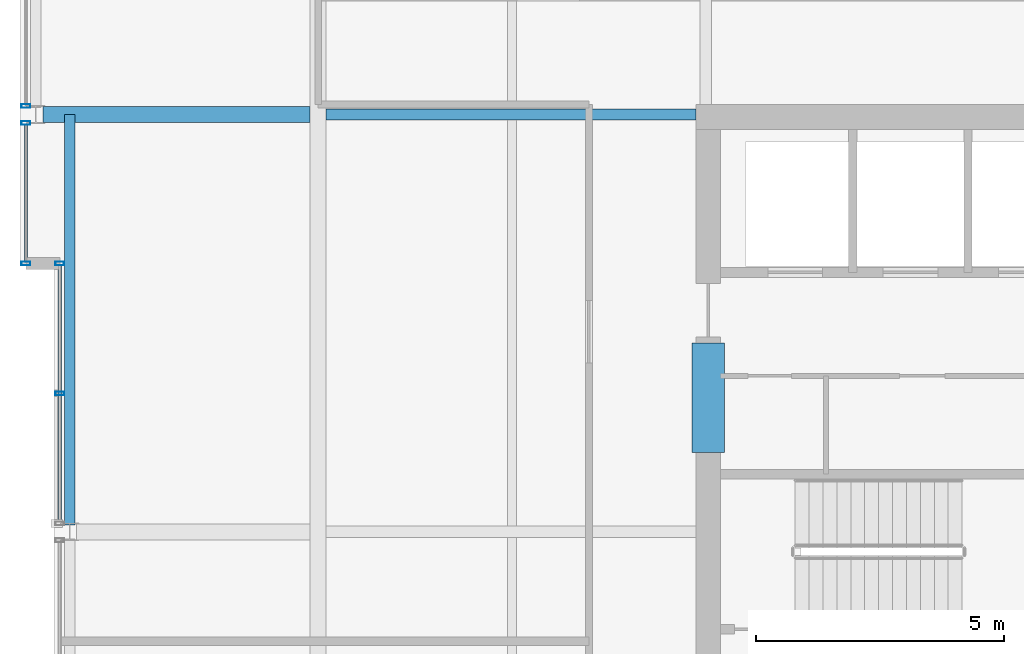
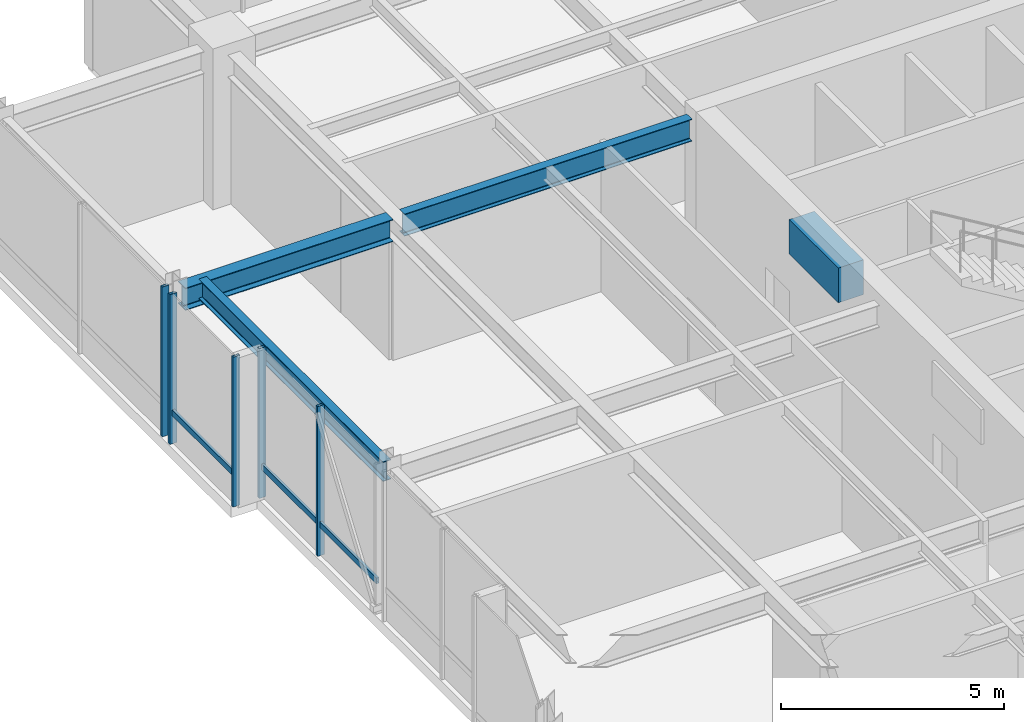
# One storey, part 14 of 34: 7 members, 4 beams, 3 elements without a shape of their own.
"""IFC4 building model written with IfcOpenShell, lengths in metres."""

import ifcopenshell
import ifcopenshell.guid

model = None  # the IFC model being written
_history = None  # IfcOwnerHistory: only IFC2X3 demands one
_inside = {}  # id of a spatial element -> (the spatial element, [elements in it])
_under = {}  # id of a project, library or spatial element -> (it, [spatial elements below it])
_declared = {}  # id of a project -> (the project, [libraries it declares])
_typed = {}  # id of a type object -> (the type object, [elements of that type])
_made_of = {}  # id of a material, layer set ... -> (it, [elements and type objects made of it])


def new_model(schema):
    """Start an empty IFC model of exactly this schema.

    Asked for "IFC4X3", IfcOpenShell would pick the latest addendum, in which some entities
    have other attributes; the version numbers below select the first issue.
    IFC2X3 requires an IfcOwnerHistory on every rooted entity: one is made here for all.
    """
    global model, _history
    if schema == "IFC4X3":
        model = ifcopenshell.file(schema_version=(4, 3, 0, 0))
    else:
        model = ifcopenshell.file(schema=schema)
    _inside.clear()
    _under.clear()
    _declared.clear()
    _typed.clear()
    _made_of.clear()
    _history = None
    if model.schema == "IFC2X3":
        org = make("IfcOrganization", Name="unknown")
        user = make(
            "IfcPersonAndOrganization",
            ThePerson=make("IfcPerson", FamilyName="unknown"),
            TheOrganization=org,
        )
        app = make(
            "IfcApplication",
            ApplicationDeveloper=org,
            Version="unknown",
            ApplicationFullName="unknown",
            ApplicationIdentifier="unknown",
        )
        _history = make(
            "IfcOwnerHistory",
            OwningUser=user,
            OwningApplication=app,
            ChangeAction="ADDED",
            CreationDate=0,
        )
    return model


def make(cls, **values):
    """One entity of the class cls with the attributes given. An attribute that is None is left unset."""
    return model.create_entity(
        cls, **{name: value for name, value in values.items() if value is not None}
    )


def rooted(cls, **values):
    """An entity with a GlobalId (a new one), such as an element, a storey or a relation."""
    return make(cls, GlobalId=ifcopenshell.guid.new(), OwnerHistory=_history, **values)


def si_unit(unit_type, name, prefix=None):
    """IfcSIUnit, for example si_unit("LENGTHUNIT", "METRE", prefix="MILLI")."""
    return make("IfcSIUnit", UnitType=unit_type, Prefix=prefix, Name=name)


def assignment(units):
    """IfcUnitAssignment: the units of a project."""
    return None if units is None else make("IfcUnitAssignment", Units=units)


def point(xyz):
    """IfcCartesianPoint."""
    return None if xyz is None else make("IfcCartesianPoint", Coordinates=xyz)


def direction(xyz):
    """IfcDirection."""
    return None if xyz is None else make("IfcDirection", DirectionRatios=xyz)


def frame(location, z_axis=None, x_axis=None):
    """IfcAxis2Placement3D, a coordinate frame: its origin and axes. An axis left out is left unset."""
    return make(
        "IfcAxis2Placement3D",
        Location=point(location),
        Axis=direction(z_axis),
        RefDirection=direction(x_axis),
    )


def frame_2d(location, x_axis=None):
    """IfcAxis2Placement2D, a coordinate frame in the plane: its origin and x axis."""
    return make(
        "IfcAxis2Placement2D", Location=point(location), RefDirection=direction(x_axis)
    )


def origin():
    """The frame at (0, 0, 0) with its axes left unset."""
    return frame((0.0, 0.0, 0.0))


def origin_2d():
    """The frame at (0, 0) in the plane with its x axis left unset."""
    return frame_2d((0.0, 0.0))


def place(relative_to, where):
    """IfcLocalPlacement: puts the frame where relative to a parent placement (None: the world)."""
    return make(
        "IfcLocalPlacement", PlacementRelTo=relative_to, RelativePlacement=where
    )


def context(
    kind, dimensions, precision=None, world=None, true_north=None, identifier=None
):
    """IfcGeometricRepresentationContext, for example the 3D "Model" context."""
    return make(
        "IfcGeometricRepresentationContext",
        ContextIdentifier=identifier,
        ContextType=kind,
        CoordinateSpaceDimension=dimensions,
        Precision=precision,
        WorldCoordinateSystem=world,
        TrueNorth=true_north,
    )


def subcontext(parent, identifier, kind, view, scale=None):
    """IfcGeometricRepresentationSubContext, for example "Body" below "Model"."""
    return make(
        "IfcGeometricRepresentationSubContext",
        ContextIdentifier=identifier,
        ContextType=kind,
        ParentContext=parent,
        TargetScale=scale,
        TargetView=view,
    )


def project(units=None, contexts=None):
    """IfcProject with its units and contexts."""
    return rooted(
        "IfcProject",
        Name="project",
        RepresentationContexts=contexts,
        UnitsInContext=assignment(units),
    )


def spatial(cls, under=None, at=None, **own):
    """A site, building, storey or space (cls), placed at a placement, below another one or the project."""
    s = rooted(cls, ObjectPlacement=at, **own)
    if under is not None:
        _under.setdefault(under.id(), (under, []))[1].append(s)
    return s


def profile(cls, at=None, kind="AREA", **sizes):
    """A parametric profile (cls). Its sizes go by their IFC names, for example OverallWidth=200.0."""
    return make(cls, ProfileType=kind, Position=at, **sizes)


def rectangle(**sizes):
    """IfcRectangleProfileDef."""
    return profile("IfcRectangleProfileDef", **sizes)


def hollow_rectangle(**sizes):
    """IfcRectangleHollowProfileDef."""
    return profile("IfcRectangleHollowProfileDef", **sizes)


def i_section(**sizes):
    """IfcIShapeProfileDef."""
    return profile("IfcIShapeProfileDef", **sizes)


def extrude(swept, where, along, depth):
    """IfcExtrudedAreaSolid: the profile swept, set in the frame where, extruded along a direction by depth."""
    return make(
        "IfcExtrudedAreaSolid",
        SweptArea=swept,
        Position=where,
        ExtrudedDirection=direction(along),
        Depth=depth,
    )


def shape(context_of_items, identifier, shape_type, items):
    """IfcShapeRepresentation: the items that make up one representation, for example the "Body"."""
    return make(
        "IfcShapeRepresentation",
        ContextOfItems=context_of_items,
        RepresentationIdentifier=identifier,
        RepresentationType=shape_type,
        Items=items,
    )


def material(Name=None, Category=None):
    """IfcMaterial."""
    return make("IfcMaterial", Name=Name, Category=Category)


def layer(
    of_material, thickness, ventilated=None, Name=None, Category=None, Priority=None
):
    """IfcMaterialLayer: one layer of a wall or slab, of a material (None: an air gap)."""
    return make(
        "IfcMaterialLayer",
        Material=of_material,
        LayerThickness=thickness,
        IsVentilated=ventilated,
        Name=Name,
        Category=Category,
        Priority=Priority,
    )


def layer_set(layers, Name=None):
    """IfcMaterialLayerSet."""
    return make("IfcMaterialLayerSet", MaterialLayers=layers, LayerSetName=Name)


def material_profile(
    of_material, cross_section, Name=None, Category=None, Priority=None
):
    """IfcMaterialProfile: a cross section and its material."""
    return make(
        "IfcMaterialProfile",
        Name=Name,
        Material=of_material,
        Profile=cross_section,
        Priority=Priority,
        Category=Category,
    )


def profile_set(profiles, Name=None, composite=None):
    """IfcMaterialProfileSet."""
    return make(
        "IfcMaterialProfileSet",
        Name=Name,
        MaterialProfiles=profiles,
        CompositeProfile=composite,
    )


def made_of(thing, what):
    """Note that an element or type object is made of a material, layer set ...; save() writes the relation."""
    if what is not None:
        _made_of.setdefault(what.id(), (what, []))[1].append(thing)
    return thing


def type_object(cls, material=None, **own):
    """A type object (cls), such as IfcWallType, which elements share."""
    return made_of(rooted(cls, **own), material)


def element(
    cls,
    number,
    at=None,
    inside=None,
    cuts=None,
    type_object=None,
    material=None,
    context=None,
    identifier="Body",
    shape_type=None,
    held_by="IfcProductDefinitionShape",
    body=None,
    shapes=None,
    **own,
):
    """One element of the class cls, such as IfcWall. Its Tag is "e" and its number.

    at: its placement. inside: the storey or other place that contains it. cuts: it is an
    opening in that element (IfcRelVoidsElement). A single representation is given by context,
    identifier, shape_type and body (its items); several are given by shapes. held_by: the class
    of the entity that holds the representations. save() writes the other relations.
    """
    e = rooted(cls, Tag="e%d" % number, ObjectPlacement=at, **own)
    if body is not None:
        shapes = [shape(context, identifier, shape_type, body)]
    if shapes is not None:
        e.Representation = make(held_by, Representations=shapes)
    if inside is not None:
        _inside.setdefault(inside.id(), (inside, []))[1].append(e)
    if cuts is not None:
        rooted(
            "IfcRelVoidsElement", RelatingBuildingElement=cuts, RelatedOpeningElement=e
        )
    if type_object is not None:
        _typed.setdefault(type_object.id(), (type_object, []))[1].append(e)
    return made_of(e, material)


def aggregate(whole, parts):
    """IfcRelAggregates: a whole, such as a stair, and the parts it consists of."""
    return rooted("IfcRelAggregates", RelatingObject=whole, RelatedObjects=parts)


def save(model, path):
    """Write the relations noted so far, then the file.

    IfcRelAggregates (storeys below a building ...), IfcRelContainedInSpatialStructure (elements
    in a storey), IfcRelDefinesByType, IfcRelAssociatesMaterial and IfcRelDeclares: one each for
    every whole, place, type object, material and project.
    """
    for whole, parts in _under.values():
        aggregate(whole, parts)
    for where, things in _inside.values():
        rooted(
            "IfcRelContainedInSpatialStructure",
            RelatedElements=things,
            RelatingStructure=where,
        )
    for kind, things in _typed.values():
        rooted("IfcRelDefinesByType", RelatedObjects=things, RelatingType=kind)
    for what, things in _made_of.values():
        rooted("IfcRelAssociatesMaterial", RelatedObjects=things, RelatingMaterial=what)
    for by, libraries in _declared.values():
        rooted("IfcRelDeclares", RelatingContext=by, RelatedDefinitions=libraries)
    model.write(path)


model = new_model("IFC4")

# Units and contexts
model_context = context("Model", 3, precision=1e-05, world=origin(), true_north=direction((0.0, 1.0)))
body_context = subcontext(model_context, "Body", "Model", "MODEL_VIEW")
ifc_project = project(units=[si_unit("LENGTHUNIT", "METRE"), si_unit("AREAUNIT", "SQUARE_METRE"), si_unit("VOLUMEUNIT", "CUBIC_METRE"), si_unit("PLANEANGLEUNIT", "RADIAN"), si_unit("MASSUNIT", "GRAM", prefix="KILO")], contexts=[model_context])

# Site, building, storey
site_placement = place(None, origin())
site = spatial("IfcSite", under=ifc_project, at=site_placement, CompositionType="ELEMENT")
building_placement = place(site_placement, origin())
building = spatial("IfcBuilding", under=site, at=building_placement, Name="Drelvath Grand Hotel", CompositionType="ELEMENT")
storey_placement = place(building_placement, frame((0.0, 0.0, 294.199951171875)))
storey = spatial("IfcBuildingStorey", under=building, at=storey_placement, Name="L77", CompositionType="ELEMENT", Elevation=294.199951171875)

# Beam
ifc_material_1 = material(Name="Concrete f'c 55 MPa", Category="concrete")
ifc_material_profile_1 = material_profile(ifc_material_1, rectangle(XDim=0.64990234375, YDim=0.949951171875, at=origin_2d()), Name="CB650X950")
ifc_profile_set_1 = profile_set([ifc_material_profile_1], Name="Concrete f'c 55 MPa")
beam_type_1 = type_object("IfcBeamType", Name="Core Coupling Lintel CB650X950", PredefinedType="LINTEL", material=ifc_profile_set_1)
beam_1_placement = place(storey_placement, frame((-8.35009765625, 28.60009765625, 3.625), z_axis=(0.0, 1.0, 0.0), x_axis=(-1.0, 0.0, 0.0)))
element("IfcBeam", 1, at=beam_1_placement, inside=storey, type_object=beam_type_1, Name="L77 Core Coupling Lintel WN", PredefinedType="LINTEL", context=body_context, shape_type="SweptSolid", body=[
    extrude(rectangle(XDim=0.64990234375, YDim=0.949951171875, at=origin_2d()), origin(), (0.0, 0.0, 1.0), 2.199951171875),
])

# Curtain wall, member
ifc_material_2 = material(Name="Platinum-Mist Anodised Aluminium Frame", Category="aluminium")
ifc_layer = layer(ifc_material_2, 0.199951171875)
ifc_layer_set = layer_set([ifc_layer], Name="Platinum-Mist Anodised Aluminium Frame")
curtain_wall_type = type_object("IfcCurtainWallType", Name="Stick Curtain Wall CW-05 Platinum Mist High-Rise", PredefinedType="NOTDEFINED", material=ifc_layer_set)
curtain_wall_1_placement = place(storey_placement, origin())
curtain_wall_1 = element("IfcCurtainWall", 2, at=curtain_wall_1_placement, inside=storey, type_object=curtain_wall_type, Name="L77 CW-05 Curtain Wall CW05-L77-WM2", PredefinedType="NOTDEFINED")
ifc_material_profile_2 = material_profile(ifc_material_2, hollow_rectangle(XDim=0.06494140625, YDim=0.159912109375, WallThickness=0.00390625, at=origin_2d()), Name="HSS160X65X4")
ifc_profile_set_2 = profile_set([ifc_material_profile_2], Name="Platinum-Mist Anodised Aluminium Frame")
member_type_1 = type_object("IfcMemberType", Name="Curtain Wall Horizontal Transom CW-05 HSS160X65X4", PredefinedType="USERDEFINED", material=ifc_profile_set_2)
member_1_placement = place(storey_placement, frame((-21.39990234375, 27.2099609375, 0.85009765625), z_axis=(0.0, 1.0, 0.0), x_axis=(-1.0, 0.0, 0.0)))
member_1 = element("IfcMember", 3, at=member_1_placement, type_object=member_type_1, Name="CW05-L77-WM2 Sill Transom", ObjectType="TRANSOM", PredefinedType="USERDEFINED", context=body_context, shape_type="SweptSolid", body=[
    extrude(hollow_rectangle(XDim=0.06494140625, YDim=0.159912109375, WallThickness=0.00390625, at=origin_2d()), origin(), (0.0, 0.0, 1.0), 5.150146484375),
])

curtain_wall_2_placement = place(storey_placement, origin())
curtain_wall_2 = element("IfcCurtainWall", 4, at=curtain_wall_2_placement, inside=storey, type_object=curtain_wall_type, Name="L77 CW-05 Curtain Wall CW05-L77-WN1", PredefinedType="NOTDEFINED")
member_2_placement = place(storey_placement, frame((-22.080078125, 32.43994140625, 0.85009765625), z_axis=(0.0, 1.0, 0.0), x_axis=(-1.0, 0.0, 0.0)))
member_2 = element("IfcMember", 5, at=member_2_placement, type_object=member_type_1, Name="CW05-L77-WN1 Sill Transom", ObjectType="TRANSOM", PredefinedType="USERDEFINED", context=body_context, shape_type="SweptSolid", body=[
    extrude(hollow_rectangle(XDim=0.06494140625, YDim=0.159912109375, WallThickness=0.00390625, at=origin_2d()), origin(), (0.0, 0.0, 1.0), 2.75),
])

# Member
ifc_material_profile_3 = material_profile(ifc_material_2, hollow_rectangle(XDim=0.074951171875, YDim=0.179931640625, WallThickness=0.0048828125, at=origin_2d()), Name="HSS180X75X5")
ifc_profile_set_3 = profile_set([ifc_material_profile_3], Name="Platinum-Mist Anodised Aluminium Frame")
member_type_2 = type_object("IfcMemberType", Name="Curtain Wall Vertical Mullion CW-05 HSS180X75X5", PredefinedType="MULLION", material=ifc_profile_set_3)
member_3_placement = place(storey_placement, frame((-21.39990234375, 29.784912109375, 0.0), z_axis=(0.0, 0.0, 1.0), x_axis=(0.0, 1.0, 0.0)))
member_3 = element("IfcMember", 6, at=member_3_placement, type_object=member_type_2, Name="CW05-L77-WM2 Mullion 2", PredefinedType="MULLION", context=body_context, shape_type="SweptSolid", body=[
    extrude(hollow_rectangle(XDim=0.074951171875, YDim=0.179931640625, WallThickness=0.0048828125, at=origin_2d()), origin(), (0.0, 0.0, 1.0), 4.10009765625),
])

member_4_placement = place(storey_placement, frame((-21.39990234375, 32.39990234375, 0.0), z_axis=(0.0, 0.0, 1.0), x_axis=(0.0, 1.0, 0.0)))
member_4 = element("IfcMember", 7, at=member_4_placement, type_object=member_type_2, Name="CW05-L77-WM2 Mullion 3", PredefinedType="MULLION", context=body_context, shape_type="SweptSolid", body=[
    extrude(hollow_rectangle(XDim=0.074951171875, YDim=0.179931640625, WallThickness=0.0048828125, at=origin_2d()), origin(), (0.0, 0.0, 1.0), 4.10009765625),
])

aggregate(curtain_wall_1, [member_3, member_4, member_1])

member_5_placement = place(storey_placement, frame((-22.080078125, 32.39990234375, 0.0), z_axis=(0.0, 0.0, 1.0), x_axis=(0.0, 1.0, 0.0)))
member_5 = element("IfcMember", 8, at=member_5_placement, type_object=member_type_2, Name="CW05-L77-WN1 Mullion 1", PredefinedType="MULLION", context=body_context, shape_type="SweptSolid", body=[
    extrude(hollow_rectangle(XDim=0.074951171875, YDim=0.179931640625, WallThickness=0.0048828125, at=origin_2d()), origin(), (0.0, 0.0, 1.0), 4.10009765625),
])

member_6_placement = place(storey_placement, frame((-22.080078125, 35.22998046875, 0.0), z_axis=(0.0, 0.0, 1.0), x_axis=(0.0, 1.0, 0.0)))
member_6 = element("IfcMember", 9, at=member_6_placement, type_object=member_type_2, Name="CW05-L77-WN1 Mullion 2", PredefinedType="MULLION", context=body_context, shape_type="SweptSolid", body=[
    extrude(hollow_rectangle(XDim=0.074951171875, YDim=0.179931640625, WallThickness=0.0048828125, at=origin_2d()), origin(), (0.0, 0.0, 1.0), 4.10009765625),
])

aggregate(curtain_wall_2, [member_5, member_6, member_2])

# Curtain wall, member
curtain_wall_3_placement = place(storey_placement, origin())
curtain_wall_3 = element("IfcCurtainWall", 10, at=curtain_wall_3_placement, inside=storey, type_object=curtain_wall_type, Name="L77 CW-05 Curtain Wall CW05-L77-WN2", PredefinedType="NOTDEFINED")
member_7_placement = place(storey_placement, frame((-22.080078125, 35.570068359375, 0.0), z_axis=(0.0, 0.0, 1.0), x_axis=(0.0, 1.0, 0.0)))
member_7 = element("IfcMember", 11, at=member_7_placement, type_object=member_type_2, Name="CW05-L77-WN2 Mullion 1", PredefinedType="MULLION", context=body_context, shape_type="SweptSolid", body=[
    extrude(hollow_rectangle(XDim=0.074951171875, YDim=0.179931640625, WallThickness=0.0048828125, at=origin_2d()), origin(), (0.0, 0.0, 1.0), 4.10009765625),
])
aggregate(curtain_wall_3, [member_7])

# Beams
ifc_material_3 = material(Name="Steel ASTM A992 Gr 50", Category="steel")
ifc_material_profile_4 = material_profile(ifc_material_3, i_section(OverallWidth=0.210205078125, OverallDepth=0.53662109375, WebThickness=0.010986328125, FlangeThickness=0.017333984375, FilletRadius=0.01806640625, at=origin_2d()), Name="W21X68")
ifc_profile_set_4 = profile_set([ifc_material_profile_4], Name="Steel ASTM A992 Gr 50")
beam_type_2 = type_object("IfcBeamType", Name="Perimeter Spandrel Beam W21X68", PredefinedType="SPANDREL", material=ifc_profile_set_4)
beam_2_placement = place(storey_placement, frame((-21.199951171875, 27.139892578125, 3.831787109375), z_axis=(0.0, 1.0, 0.0), x_axis=(-1.0, 0.0, 0.0)))
element("IfcBeam", 12, at=beam_2_placement, inside=storey, type_object=beam_type_2, Name="L77 Spandrel West Mid N", PredefinedType="SPANDREL", context=body_context, shape_type="SweptSolid", body=[
    extrude(i_section(OverallWidth=0.210205078125, OverallDepth=0.53662109375, WebThickness=0.010986328125, FlangeThickness=0.017333984375, FilletRadius=0.01806640625, at=origin_2d()), origin(), (0.0, 0.0, 1.0), 8.260009765625),
])
ifc_material_profile_5 = material_profile(ifc_material_3, i_section(OverallWidth=0.323974609375, OverallDepth=0.611083984375, WebThickness=0.0126953125, FlangeThickness=0.01904296875, FilletRadius=0.02197265625, at=origin_2d()), Name="W24X104")
ifc_profile_set_5 = profile_set([ifc_material_profile_5], Name="Steel ASTM A992 Gr 50")
beam_type_3 = type_object("IfcBeamType", Name="Primary Floor Girder W24X104", PredefinedType="BEAM", material=ifc_profile_set_5)
beam_3_placement = place(storey_placement, frame((-21.739990234375, 35.39990234375, 3.79443359375), z_axis=(1.0, 0.0, 0.0), x_axis=(0.0, 1.0, 0.0)))
element("IfcBeam", 13, at=beam_3_placement, inside=storey, type_object=beam_type_3, Name="L77 West Wing Girder F", PredefinedType="BEAM", context=body_context, shape_type="SweptSolid", body=[
    extrude(i_section(OverallWidth=0.323974609375, OverallDepth=0.611083984375, WebThickness=0.0126953125, FlangeThickness=0.01904296875, FilletRadius=0.02197265625, at=origin_2d()), origin(), (0.0, 0.0, 1.0), 5.3779296875),
])
ifc_material_profile_6 = material_profile(ifc_material_3, i_section(OverallWidth=0.228271484375, OverallDepth=0.607666015625, WebThickness=0.01123046875, FlangeThickness=0.017333984375, FilletRadius=0.02001953125, at=origin_2d()), Name="W24X76")
ifc_profile_set_6 = profile_set([ifc_material_profile_6], Name="Steel ASTM A992 Gr 50")
beam_type_4 = type_object("IfcBeamType", Name="Primary Floor Girder W24X76", PredefinedType="BEAM", material=ifc_profile_set_6)
beam_4_placement = place(storey_placement, frame((-16.0380859375, 35.39990234375, 3.796142578125), z_axis=(1.0, 0.0, 0.0), x_axis=(0.0, 1.0, 0.0)))
element("IfcBeam", 14, at=beam_4_placement, inside=storey, type_object=beam_type_4, Name="L77 West Core Tie F", PredefinedType="BEAM", context=body_context, shape_type="SweptSolid", body=[
    extrude(i_section(OverallWidth=0.228271484375, OverallDepth=0.607666015625, WebThickness=0.01123046875, FlangeThickness=0.017333984375, FilletRadius=0.02001953125, at=origin_2d()), origin(), (0.0, 0.0, 1.0), 7.43798828125),
])

save(model, "model.ifc")
